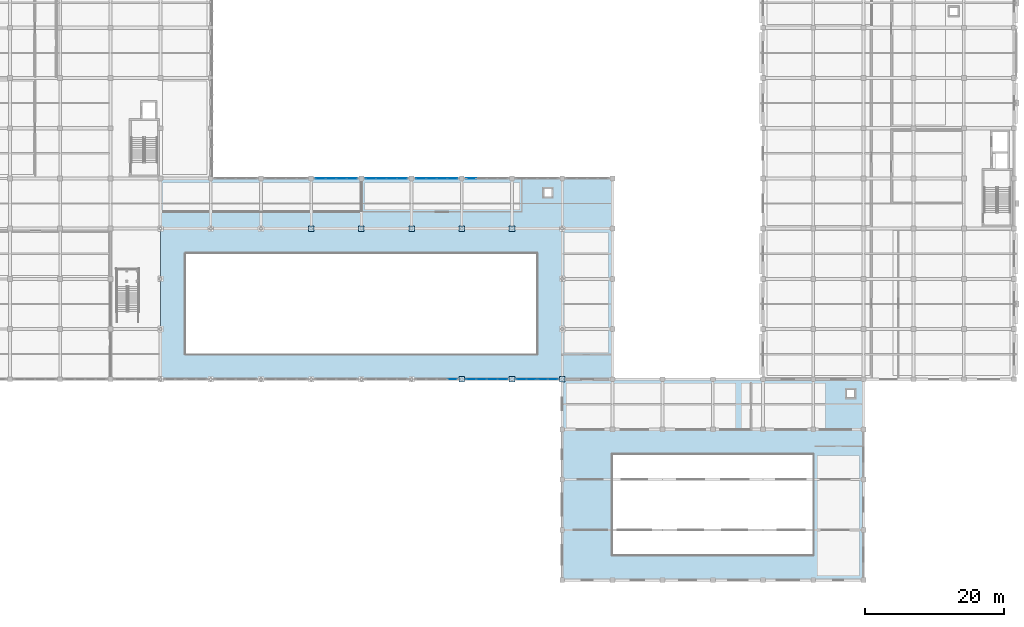
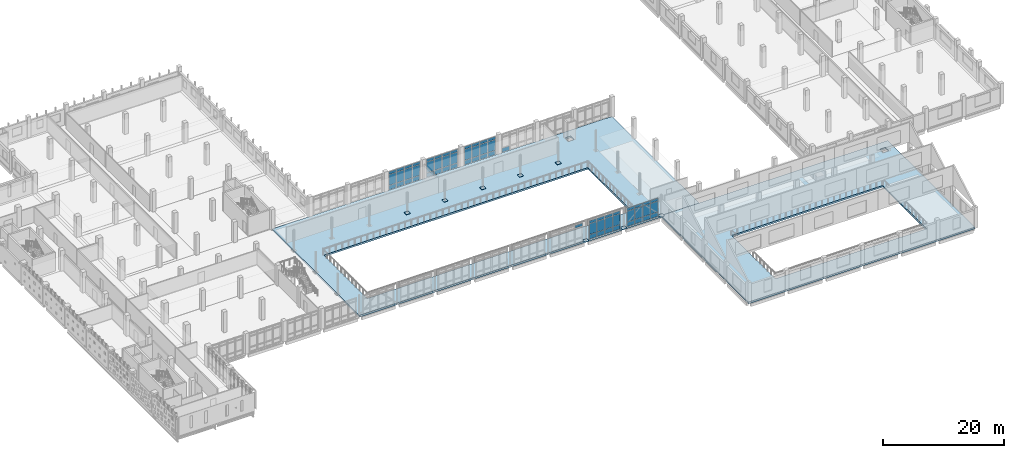
# One storey, part 31 of 62: 70 plates, 2 slabs, 7 elements without a shape of their own.
"""IFC4 building model written with IfcOpenShell, lengths in metres."""

from ifc_helpers import new_model, si_unit, direction, frame, origin, origin_2d, place, context, subcontext, project, spatial, polyline, rectangle, outline, extrude, material, layer, layer_set, type_object, element, aggregate, save


model = new_model("IFC4")

# Units and contexts
model_context = context("Model", 3, precision=1e-05, world=origin(), true_north=direction((0.0, 1.0)))
body_context = subcontext(model_context, "Body", "Model", "MODEL_VIEW")
ifc_project = project(units=[si_unit("LENGTHUNIT", "METRE"), si_unit("AREAUNIT", "SQUARE_METRE"), si_unit("VOLUMEUNIT", "CUBIC_METRE"), si_unit("PLANEANGLEUNIT", "RADIAN"), si_unit("MASSUNIT", "GRAM", prefix="KILO")], contexts=[model_context])

# Site, building, storey
site_placement = place(None, origin())
site = spatial("IfcSite", under=ifc_project, at=site_placement, CompositionType="ELEMENT")
building_placement = place(site_placement, origin())
building = spatial("IfcBuilding", under=site, at=building_placement, Name="Valkovuoma Quantum and Materials Research Institute", CompositionType="ELEMENT")
storey_placement = place(building_placement, frame((0.0, 0.0, 8.9599609375)))
storey = spatial("IfcBuildingStorey", under=building, at=storey_placement, Name="L02", CompositionType="ELEMENT", Elevation=8.9599609375)

# Curtain wall, plates
ifc_material_1 = material(Name="Thermally broken aluminium and triple low-E glazing", Category="aluminium")
ifc_layer_1 = layer(ifc_material_1, 0.219970703125)
ifc_layer_set_1 = layer_set([ifc_layer_1], Name="Thermally broken aluminium and triple low-E glazing")
curtain_wall_type = type_object("IfcCurtainWallType", Name="CW-CW-02", PredefinedType="NOTDEFINED", material=ifc_layer_set_1)
curtain_wall_1_placement = place(storey_placement, origin())
curtain_wall_1 = element("IfcCurtainWall", 1, at=curtain_wall_1_placement, inside=storey, type_object=curtain_wall_type, Name="L02 curtain wall 193", PredefinedType="NOTDEFINED")
ifc_material_2 = material(Name="Triple low-E argon insulating glass", Category="glass")
ifc_layer_2 = layer(ifc_material_2, 0.0419921875)
ifc_layer_set_2 = layer_set([ifc_layer_2], Name="Triple low-E argon insulating glass")
plate_type_1 = type_object("IfcPlateType", Name="CWPanel-CWP-02", PredefinedType="CURTAIN_PANEL", material=ifc_layer_set_2)
plate_1_placement = place(storey_placement, frame((66.155029296875, 64.800048828125, 0.0751953125), z_axis=(0.0, 0.0, 1.0), x_axis=(1.0, 0.0, 0.0)))
plate_1 = element("IfcPlate", 2, at=plate_1_placement, type_object=plate_type_1, Name="CW-02 panel 1.1", PredefinedType="CURTAIN_PANEL", context=body_context, shape_type="SweptSolid", body=[
    extrude(rectangle(XDim=1.389892578125, YDim=0.0419921875, at=origin_2d()), origin(), (0.0, 0.0, 1.0), 0.83740234375),
])
plate_2_placement = place(storey_placement, frame((66.155029296875, 64.800048828125, 0.9873046875), z_axis=(0.0, 0.0, 1.0), x_axis=(1.0, 0.0, 0.0)))
plate_2 = element("IfcPlate", 3, at=plate_2_placement, type_object=plate_type_1, Name="CW-02 panel 1.2", PredefinedType="CURTAIN_PANEL", context=body_context, shape_type="SweptSolid", body=[
    extrude(rectangle(XDim=1.389892578125, YDim=0.0419921875, at=origin_2d()), origin(), (0.0, 0.0, 1.0), 2.135009765625),
])
plate_3_placement = place(storey_placement, frame((66.155029296875, 64.800048828125, 3.197509765625), z_axis=(0.0, 0.0, 1.0), x_axis=(1.0, 0.0, 0.0)))
plate_3 = element("IfcPlate", 4, at=plate_3_placement, type_object=plate_type_1, Name="CW-02 panel 1.3", PredefinedType="CURTAIN_PANEL", context=body_context, shape_type="SweptSolid", body=[
    extrude(rectangle(XDim=1.389892578125, YDim=0.0419921875, at=origin_2d()), origin(), (0.0, 0.0, 1.0), 0.53759765625),
])
plate_4_placement = place(storey_placement, frame((67.64501953125, 64.800048828125, 0.0751953125), z_axis=(0.0, 0.0, 1.0), x_axis=(1.0, 0.0, 0.0)))
plate_4 = element("IfcPlate", 5, at=plate_4_placement, type_object=plate_type_1, Name="CW-02 panel 2.1", PredefinedType="CURTAIN_PANEL", context=body_context, shape_type="SweptSolid", body=[
    extrude(rectangle(XDim=1.429931640625, YDim=0.0419921875, at=origin_2d()), origin(), (0.0, 0.0, 1.0), 0.83740234375),
])
plate_5_placement = place(storey_placement, frame((67.64501953125, 64.800048828125, 0.9873046875), z_axis=(0.0, 0.0, 1.0), x_axis=(1.0, 0.0, 0.0)))
plate_5 = element("IfcPlate", 6, at=plate_5_placement, type_object=plate_type_1, Name="CW-02 panel 2.2", PredefinedType="CURTAIN_PANEL", context=body_context, shape_type="SweptSolid", body=[
    extrude(rectangle(XDim=1.429931640625, YDim=0.0419921875, at=origin_2d()), origin(), (0.0, 0.0, 1.0), 2.135009765625),
])
plate_6_placement = place(storey_placement, frame((67.64501953125, 64.800048828125, 3.197509765625), z_axis=(0.0, 0.0, 1.0), x_axis=(1.0, 0.0, 0.0)))
plate_6 = element("IfcPlate", 7, at=plate_6_placement, type_object=plate_type_1, Name="CW-02 panel 2.3", PredefinedType="CURTAIN_PANEL", context=body_context, shape_type="SweptSolid", body=[
    extrude(rectangle(XDim=1.429931640625, YDim=0.0419921875, at=origin_2d()), origin(), (0.0, 0.0, 1.0), 0.53759765625),
])
plate_7_placement = place(storey_placement, frame((69.155029296875, 64.800048828125, 0.0751953125), z_axis=(0.0, 0.0, 1.0), x_axis=(1.0, 0.0, 0.0)))
plate_7 = element("IfcPlate", 8, at=plate_7_placement, type_object=plate_type_1, Name="CW-02 panel 3.1", PredefinedType="CURTAIN_PANEL", context=body_context, shape_type="SweptSolid", body=[
    extrude(rectangle(XDim=1.429931640625, YDim=0.0419921875, at=origin_2d()), origin(), (0.0, 0.0, 1.0), 0.83740234375),
])
plate_8_placement = place(storey_placement, frame((69.155029296875, 64.800048828125, 0.9873046875), z_axis=(0.0, 0.0, 1.0), x_axis=(1.0, 0.0, 0.0)))
plate_8 = element("IfcPlate", 9, at=plate_8_placement, type_object=plate_type_1, Name="CW-02 panel 3.2", PredefinedType="CURTAIN_PANEL", context=body_context, shape_type="SweptSolid", body=[
    extrude(rectangle(XDim=1.429931640625, YDim=0.0419921875, at=origin_2d()), origin(), (0.0, 0.0, 1.0), 2.135009765625),
])
plate_9_placement = place(storey_placement, frame((69.155029296875, 64.800048828125, 3.197509765625), z_axis=(0.0, 0.0, 1.0), x_axis=(1.0, 0.0, 0.0)))
plate_9 = element("IfcPlate", 10, at=plate_9_placement, type_object=plate_type_1, Name="CW-02 panel 3.3", PredefinedType="CURTAIN_PANEL", context=body_context, shape_type="SweptSolid", body=[
    extrude(rectangle(XDim=1.429931640625, YDim=0.0419921875, at=origin_2d()), origin(), (0.0, 0.0, 1.0), 0.53759765625),
])
plate_10_placement = place(storey_placement, frame((70.64501953125, 64.800048828125, 0.0751953125), z_axis=(0.0, 0.0, 1.0), x_axis=(1.0, 0.0, 0.0)))
plate_10 = element("IfcPlate", 11, at=plate_10_placement, type_object=plate_type_1, Name="CW-02 panel 4.1", PredefinedType="CURTAIN_PANEL", context=body_context, shape_type="SweptSolid", body=[
    extrude(rectangle(XDim=1.389892578125, YDim=0.0419921875, at=origin_2d()), origin(), (0.0, 0.0, 1.0), 0.83740234375),
])
plate_11_placement = place(storey_placement, frame((70.64501953125, 64.800048828125, 0.9873046875), z_axis=(0.0, 0.0, 1.0), x_axis=(1.0, 0.0, 0.0)))
plate_11 = element("IfcPlate", 12, at=plate_11_placement, type_object=plate_type_1, Name="CW-02 panel 4.2", PredefinedType="CURTAIN_PANEL", context=body_context, shape_type="SweptSolid", body=[
    extrude(rectangle(XDim=1.389892578125, YDim=0.0419921875, at=origin_2d()), origin(), (0.0, 0.0, 1.0), 2.135009765625),
])
plate_12_placement = place(storey_placement, frame((70.64501953125, 64.800048828125, 3.197509765625), z_axis=(0.0, 0.0, 1.0), x_axis=(1.0, 0.0, 0.0)))
plate_12 = element("IfcPlate", 13, at=plate_12_placement, type_object=plate_type_1, Name="CW-02 panel 4.3", PredefinedType="CURTAIN_PANEL", context=body_context, shape_type="SweptSolid", body=[
    extrude(rectangle(XDim=1.389892578125, YDim=0.0419921875, at=origin_2d()), origin(), (0.0, 0.0, 1.0), 0.53759765625),
])
aggregate(curtain_wall_1, [plate_1, plate_2, plate_3, plate_4, plate_5, plate_6, plate_7, plate_8, plate_9, plate_10, plate_11, plate_12])

curtain_wall_2_placement = place(storey_placement, origin())
curtain_wall_2 = element("IfcCurtainWall", 14, at=curtain_wall_2_placement, inside=storey, type_object=curtain_wall_type, Name="L02 curtain wall 194", PredefinedType="NOTDEFINED")
plate_13_placement = place(storey_placement, frame((73.35498046875, 64.800048828125, 0.0751953125), z_axis=(0.0, 0.0, 1.0), x_axis=(1.0, 0.0, 0.0)))
plate_13 = element("IfcPlate", 15, at=plate_13_placement, type_object=plate_type_1, Name="CW-02 panel 1.1", PredefinedType="CURTAIN_PANEL", context=body_context, shape_type="SweptSolid", body=[
    extrude(rectangle(XDim=1.389892578125, YDim=0.0419921875, at=origin_2d()), origin(), (0.0, 0.0, 1.0), 0.83740234375),
])
plate_14_placement = place(storey_placement, frame((73.35498046875, 64.800048828125, 0.9873046875), z_axis=(0.0, 0.0, 1.0), x_axis=(1.0, 0.0, 0.0)))
plate_14 = element("IfcPlate", 16, at=plate_14_placement, type_object=plate_type_1, Name="CW-02 panel 1.2", PredefinedType="CURTAIN_PANEL", context=body_context, shape_type="SweptSolid", body=[
    extrude(rectangle(XDim=1.389892578125, YDim=0.0419921875, at=origin_2d()), origin(), (0.0, 0.0, 1.0), 2.135009765625),
])
plate_15_placement = place(storey_placement, frame((73.35498046875, 64.800048828125, 3.197509765625), z_axis=(0.0, 0.0, 1.0), x_axis=(1.0, 0.0, 0.0)))
plate_15 = element("IfcPlate", 17, at=plate_15_placement, type_object=plate_type_1, Name="CW-02 panel 1.3", PredefinedType="CURTAIN_PANEL", context=body_context, shape_type="SweptSolid", body=[
    extrude(rectangle(XDim=1.389892578125, YDim=0.0419921875, at=origin_2d()), origin(), (0.0, 0.0, 1.0), 0.53759765625),
])
plate_16_placement = place(storey_placement, frame((74.844970703125, 64.800048828125, 0.0751953125), z_axis=(0.0, 0.0, 1.0), x_axis=(1.0, 0.0, 0.0)))
plate_16 = element("IfcPlate", 18, at=plate_16_placement, type_object=plate_type_1, Name="CW-02 panel 2.1", PredefinedType="CURTAIN_PANEL", context=body_context, shape_type="SweptSolid", body=[
    extrude(rectangle(XDim=1.429931640625, YDim=0.0419921875, at=origin_2d()), origin(), (0.0, 0.0, 1.0), 0.83740234375),
])
plate_17_placement = place(storey_placement, frame((74.844970703125, 64.800048828125, 0.9873046875), z_axis=(0.0, 0.0, 1.0), x_axis=(1.0, 0.0, 0.0)))
plate_17 = element("IfcPlate", 19, at=plate_17_placement, type_object=plate_type_1, Name="CW-02 panel 2.2", PredefinedType="CURTAIN_PANEL", context=body_context, shape_type="SweptSolid", body=[
    extrude(rectangle(XDim=1.429931640625, YDim=0.0419921875, at=origin_2d()), origin(), (0.0, 0.0, 1.0), 2.135009765625),
])
plate_18_placement = place(storey_placement, frame((74.844970703125, 64.800048828125, 3.197509765625), z_axis=(0.0, 0.0, 1.0), x_axis=(1.0, 0.0, 0.0)))
plate_18 = element("IfcPlate", 20, at=plate_18_placement, type_object=plate_type_1, Name="CW-02 panel 2.3", PredefinedType="CURTAIN_PANEL", context=body_context, shape_type="SweptSolid", body=[
    extrude(rectangle(XDim=1.429931640625, YDim=0.0419921875, at=origin_2d()), origin(), (0.0, 0.0, 1.0), 0.53759765625),
])
plate_19_placement = place(storey_placement, frame((76.35498046875, 64.800048828125, 0.0751953125), z_axis=(0.0, 0.0, 1.0), x_axis=(1.0, 0.0, 0.0)))
plate_19 = element("IfcPlate", 21, at=plate_19_placement, type_object=plate_type_1, Name="CW-02 panel 3.1", PredefinedType="CURTAIN_PANEL", context=body_context, shape_type="SweptSolid", body=[
    extrude(rectangle(XDim=1.429931640625, YDim=0.0419921875, at=origin_2d()), origin(), (0.0, 0.0, 1.0), 0.83740234375),
])
plate_20_placement = place(storey_placement, frame((76.35498046875, 64.800048828125, 0.9873046875), z_axis=(0.0, 0.0, 1.0), x_axis=(1.0, 0.0, 0.0)))
plate_20 = element("IfcPlate", 22, at=plate_20_placement, type_object=plate_type_1, Name="CW-02 panel 3.2", PredefinedType="CURTAIN_PANEL", context=body_context, shape_type="SweptSolid", body=[
    extrude(rectangle(XDim=1.429931640625, YDim=0.0419921875, at=origin_2d()), origin(), (0.0, 0.0, 1.0), 2.135009765625),
])
plate_21_placement = place(storey_placement, frame((76.35498046875, 64.800048828125, 3.197509765625), z_axis=(0.0, 0.0, 1.0), x_axis=(1.0, 0.0, 0.0)))
plate_21 = element("IfcPlate", 23, at=plate_21_placement, type_object=plate_type_1, Name="CW-02 panel 3.3", PredefinedType="CURTAIN_PANEL", context=body_context, shape_type="SweptSolid", body=[
    extrude(rectangle(XDim=1.429931640625, YDim=0.0419921875, at=origin_2d()), origin(), (0.0, 0.0, 1.0), 0.53759765625),
])
plate_22_placement = place(storey_placement, frame((77.844970703125, 64.800048828125, 0.0751953125), z_axis=(0.0, 0.0, 1.0), x_axis=(1.0, 0.0, 0.0)))
plate_22 = element("IfcPlate", 24, at=plate_22_placement, type_object=plate_type_1, Name="CW-02 panel 4.1", PredefinedType="CURTAIN_PANEL", context=body_context, shape_type="SweptSolid", body=[
    extrude(rectangle(XDim=1.389892578125, YDim=0.0419921875, at=origin_2d()), origin(), (0.0, 0.0, 1.0), 0.83740234375),
])
plate_23_placement = place(storey_placement, frame((77.844970703125, 64.800048828125, 0.9873046875), z_axis=(0.0, 0.0, 1.0), x_axis=(1.0, 0.0, 0.0)))
plate_23 = element("IfcPlate", 25, at=plate_23_placement, type_object=plate_type_1, Name="CW-02 panel 4.2", PredefinedType="CURTAIN_PANEL", context=body_context, shape_type="SweptSolid", body=[
    extrude(rectangle(XDim=1.389892578125, YDim=0.0419921875, at=origin_2d()), origin(), (0.0, 0.0, 1.0), 2.135009765625),
])
plate_24_placement = place(storey_placement, frame((77.844970703125, 64.800048828125, 3.197509765625), z_axis=(0.0, 0.0, 1.0), x_axis=(1.0, 0.0, 0.0)))
plate_24 = element("IfcPlate", 26, at=plate_24_placement, type_object=plate_type_1, Name="CW-02 panel 4.3", PredefinedType="CURTAIN_PANEL", context=body_context, shape_type="SweptSolid", body=[
    extrude(rectangle(XDim=1.389892578125, YDim=0.0419921875, at=origin_2d()), origin(), (0.0, 0.0, 1.0), 0.53759765625),
])
aggregate(curtain_wall_2, [plate_13, plate_14, plate_15, plate_16, plate_17, plate_18, plate_19, plate_20, plate_21, plate_22, plate_23, plate_24])

curtain_wall_3_placement = place(storey_placement, origin())
curtain_wall_3 = element("IfcCurtainWall", 27, at=curtain_wall_3_placement, inside=storey, type_object=curtain_wall_type, Name="L02 curtain wall 195", PredefinedType="NOTDEFINED")
plate_25_placement = place(storey_placement, frame((80.554931640625, 64.800048828125, 0.0751953125), z_axis=(0.0, 0.0, 1.0), x_axis=(1.0, 0.0, 0.0)))
plate_25 = element("IfcPlate", 28, at=plate_25_placement, type_object=plate_type_1, Name="CW-02 panel 1.1", PredefinedType="CURTAIN_PANEL", context=body_context, shape_type="SweptSolid", body=[
    extrude(rectangle(XDim=1.389892578125, YDim=0.0419921875, at=origin_2d()), origin(), (0.0, 0.0, 1.0), 0.83740234375),
])
plate_26_placement = place(storey_placement, frame((80.554931640625, 64.800048828125, 0.9873046875), z_axis=(0.0, 0.0, 1.0), x_axis=(1.0, 0.0, 0.0)))
plate_26 = element("IfcPlate", 29, at=plate_26_placement, type_object=plate_type_1, Name="CW-02 panel 1.2", PredefinedType="CURTAIN_PANEL", context=body_context, shape_type="SweptSolid", body=[
    extrude(rectangle(XDim=1.389892578125, YDim=0.0419921875, at=origin_2d()), origin(), (0.0, 0.0, 1.0), 2.135009765625),
])
plate_27_placement = place(storey_placement, frame((80.554931640625, 64.800048828125, 3.197509765625), z_axis=(0.0, 0.0, 1.0), x_axis=(1.0, 0.0, 0.0)))
plate_27 = element("IfcPlate", 30, at=plate_27_placement, type_object=plate_type_1, Name="CW-02 panel 1.3", PredefinedType="CURTAIN_PANEL", context=body_context, shape_type="SweptSolid", body=[
    extrude(rectangle(XDim=1.389892578125, YDim=0.0419921875, at=origin_2d()), origin(), (0.0, 0.0, 1.0), 0.53759765625),
])
plate_28_placement = place(storey_placement, frame((82.044921875, 64.800048828125, 0.0751953125), z_axis=(0.0, 0.0, 1.0), x_axis=(1.0, 0.0, 0.0)))
plate_28 = element("IfcPlate", 31, at=plate_28_placement, type_object=plate_type_1, Name="CW-02 panel 2.1", PredefinedType="CURTAIN_PANEL", context=body_context, shape_type="SweptSolid", body=[
    extrude(rectangle(XDim=1.429931640625, YDim=0.0419921875, at=origin_2d()), origin(), (0.0, 0.0, 1.0), 0.83740234375),
])
plate_29_placement = place(storey_placement, frame((82.044921875, 64.800048828125, 0.9873046875), z_axis=(0.0, 0.0, 1.0), x_axis=(1.0, 0.0, 0.0)))
plate_29 = element("IfcPlate", 32, at=plate_29_placement, type_object=plate_type_1, Name="CW-02 panel 2.2", PredefinedType="CURTAIN_PANEL", context=body_context, shape_type="SweptSolid", body=[
    extrude(rectangle(XDim=1.429931640625, YDim=0.0419921875, at=origin_2d()), origin(), (0.0, 0.0, 1.0), 2.135009765625),
])
plate_30_placement = place(storey_placement, frame((82.044921875, 64.800048828125, 3.197509765625), z_axis=(0.0, 0.0, 1.0), x_axis=(1.0, 0.0, 0.0)))
plate_30 = element("IfcPlate", 33, at=plate_30_placement, type_object=plate_type_1, Name="CW-02 panel 2.3", PredefinedType="CURTAIN_PANEL", context=body_context, shape_type="SweptSolid", body=[
    extrude(rectangle(XDim=1.429931640625, YDim=0.0419921875, at=origin_2d()), origin(), (0.0, 0.0, 1.0), 0.53759765625),
])
plate_31_placement = place(storey_placement, frame((83.554931640625, 64.800048828125, 0.0751953125), z_axis=(0.0, 0.0, 1.0), x_axis=(1.0, 0.0, 0.0)))
plate_31 = element("IfcPlate", 34, at=plate_31_placement, type_object=plate_type_1, Name="CW-02 panel 3.1", PredefinedType="CURTAIN_PANEL", context=body_context, shape_type="SweptSolid", body=[
    extrude(rectangle(XDim=1.429931640625, YDim=0.0419921875, at=origin_2d()), origin(), (0.0, 0.0, 1.0), 0.83740234375),
])
plate_32_placement = place(storey_placement, frame((83.554931640625, 64.800048828125, 0.9873046875), z_axis=(0.0, 0.0, 1.0), x_axis=(1.0, 0.0, 0.0)))
plate_32 = element("IfcPlate", 35, at=plate_32_placement, type_object=plate_type_1, Name="CW-02 panel 3.2", PredefinedType="CURTAIN_PANEL", context=body_context, shape_type="SweptSolid", body=[
    extrude(rectangle(XDim=1.429931640625, YDim=0.0419921875, at=origin_2d()), origin(), (0.0, 0.0, 1.0), 2.135009765625),
])
plate_33_placement = place(storey_placement, frame((83.554931640625, 64.800048828125, 3.197509765625), z_axis=(0.0, 0.0, 1.0), x_axis=(1.0, 0.0, 0.0)))
plate_33 = element("IfcPlate", 36, at=plate_33_placement, type_object=plate_type_1, Name="CW-02 panel 3.3", PredefinedType="CURTAIN_PANEL", context=body_context, shape_type="SweptSolid", body=[
    extrude(rectangle(XDim=1.429931640625, YDim=0.0419921875, at=origin_2d()), origin(), (0.0, 0.0, 1.0), 0.53759765625),
])
plate_34_placement = place(storey_placement, frame((85.044921875, 64.800048828125, 0.0751953125), z_axis=(0.0, 0.0, 1.0), x_axis=(1.0, 0.0, 0.0)))
plate_34 = element("IfcPlate", 37, at=plate_34_placement, type_object=plate_type_1, Name="CW-02 panel 4.1", PredefinedType="CURTAIN_PANEL", context=body_context, shape_type="SweptSolid", body=[
    extrude(rectangle(XDim=1.389892578125, YDim=0.0419921875, at=origin_2d()), origin(), (0.0, 0.0, 1.0), 0.83740234375),
])
plate_35_placement = place(storey_placement, frame((85.044921875, 64.800048828125, 0.9873046875), z_axis=(0.0, 0.0, 1.0), x_axis=(1.0, 0.0, 0.0)))
plate_35 = element("IfcPlate", 38, at=plate_35_placement, type_object=plate_type_1, Name="CW-02 panel 4.2", PredefinedType="CURTAIN_PANEL", context=body_context, shape_type="SweptSolid", body=[
    extrude(rectangle(XDim=1.389892578125, YDim=0.0419921875, at=origin_2d()), origin(), (0.0, 0.0, 1.0), 2.135009765625),
])
plate_36_placement = place(storey_placement, frame((85.044921875, 64.800048828125, 3.197509765625), z_axis=(0.0, 0.0, 1.0), x_axis=(1.0, 0.0, 0.0)))
plate_36 = element("IfcPlate", 39, at=plate_36_placement, type_object=plate_type_1, Name="CW-02 panel 4.3", PredefinedType="CURTAIN_PANEL", context=body_context, shape_type="SweptSolid", body=[
    extrude(rectangle(XDim=1.389892578125, YDim=0.0419921875, at=origin_2d()), origin(), (0.0, 0.0, 1.0), 0.53759765625),
])
aggregate(curtain_wall_3, [plate_25, plate_26, plate_27, plate_28, plate_29, plate_30, plate_31, plate_32, plate_33, plate_34, plate_35, plate_36])

# Curtain wall, plate
curtain_wall_4_placement = place(storey_placement, origin())
curtain_wall_4 = element("IfcCurtainWall", 40, at=curtain_wall_4_placement, inside=storey, type_object=curtain_wall_type, Name="L02 curtain wall 196", PredefinedType="NOTDEFINED")
plate_37_placement = place(storey_placement, frame((87.7548828125, 64.800048828125, 0.0751953125), z_axis=(0.0, 0.0, 1.0), x_axis=(1.0, 0.0, 0.0)))
plate_37 = element("IfcPlate", 41, at=plate_37_placement, type_object=plate_type_1, Name="CW-02 panel 1.1", PredefinedType="CURTAIN_PANEL", context=body_context, shape_type="SweptSolid", body=[
    extrude(rectangle(XDim=1.389892578125, YDim=0.0419921875, at=origin_2d()), origin(), (0.0, 0.0, 1.0), 0.83740234375),
])
aggregate(curtain_wall_4, [plate_37])

curtain_wall_5_placement = place(storey_placement, origin())
curtain_wall_5 = element("IfcCurtainWall", 42, at=curtain_wall_5_placement, inside=storey, type_object=curtain_wall_type, Name="L02 curtain wall 188", PredefinedType="NOTDEFINED")
ifc_material_3 = material(Name="Triple low-E argon insulating glass", Category="glass")
ifc_layer_3 = layer(ifc_material_3, 0.048095703125)
ifc_layer_set_3 = layer_set([ifc_layer_3], Name="Triple low-E argon insulating glass")
plate_type_2 = type_object("IfcPlateType", Name="CWPanel-CWP-03", PredefinedType="CURTAIN_PANEL", material=ifc_layer_set_3)
plate_38_placement = place(storey_placement, frame((85.044921875, 36.0, 3.197509765625), z_axis=(0.0, 0.0, 1.0), x_axis=(1.0, 0.0, 0.0)))
plate_38 = element("IfcPlate", 43, at=plate_38_placement, type_object=plate_type_2, Name="CW-02 panel 4.3", PredefinedType="CURTAIN_PANEL", context=body_context, shape_type="SweptSolid", body=[
    extrude(rectangle(XDim=1.389892578125, YDim=0.048095703125, at=origin_2d()), origin(), (0.0, 0.0, 1.0), 0.53759765625),
])
aggregate(curtain_wall_5, [plate_38])

# Curtain wall, plates
curtain_wall_6_placement = place(storey_placement, origin())
curtain_wall_6 = element("IfcCurtainWall", 44, at=curtain_wall_6_placement, inside=storey, type_object=curtain_wall_type, Name="L02 curtain wall 189", PredefinedType="NOTDEFINED")
plate_39_placement = place(storey_placement, frame((87.7548828125, 36.0, 0.0751953125), z_axis=(0.0, 0.0, 1.0), x_axis=(1.0, 0.0, 0.0)))
plate_39 = element("IfcPlate", 45, at=plate_39_placement, type_object=plate_type_2, Name="CW-02 panel 1.1", PredefinedType="CURTAIN_PANEL", context=body_context, shape_type="SweptSolid", body=[
    extrude(rectangle(XDim=1.389892578125, YDim=0.048095703125, at=origin_2d()), origin(), (0.0, 0.0, 1.0), 0.83740234375),
])
plate_40_placement = place(storey_placement, frame((87.7548828125, 36.0, 0.9873046875), z_axis=(0.0, 0.0, 1.0), x_axis=(1.0, 0.0, 0.0)))
plate_40 = element("IfcPlate", 46, at=plate_40_placement, type_object=plate_type_2, Name="CW-02 panel 1.2", PredefinedType="CURTAIN_PANEL", context=body_context, shape_type="SweptSolid", body=[
    extrude(rectangle(XDim=1.389892578125, YDim=0.048095703125, at=origin_2d()), origin(), (0.0, 0.0, 1.0), 2.135009765625),
])
plate_41_placement = place(storey_placement, frame((87.7548828125, 36.0, 3.197509765625), z_axis=(0.0, 0.0, 1.0), x_axis=(1.0, 0.0, 0.0)))
plate_41 = element("IfcPlate", 47, at=plate_41_placement, type_object=plate_type_2, Name="CW-02 panel 1.3", PredefinedType="CURTAIN_PANEL", context=body_context, shape_type="SweptSolid", body=[
    extrude(rectangle(XDim=1.389892578125, YDim=0.048095703125, at=origin_2d()), origin(), (0.0, 0.0, 1.0), 0.53759765625),
])
plate_42_placement = place(storey_placement, frame((89.2451171875, 36.0, 0.0751953125), z_axis=(0.0, 0.0, 1.0), x_axis=(1.0, 0.0, 0.0)))
plate_42 = element("IfcPlate", 48, at=plate_42_placement, type_object=plate_type_2, Name="CW-02 panel 2.1", PredefinedType="CURTAIN_PANEL", context=body_context, shape_type="SweptSolid", body=[
    extrude(rectangle(XDim=1.429931640625, YDim=0.048095703125, at=origin_2d()), origin(), (0.0, 0.0, 1.0), 0.83740234375),
])
plate_43_placement = place(storey_placement, frame((89.2451171875, 36.0, 0.9873046875), z_axis=(0.0, 0.0, 1.0), x_axis=(1.0, 0.0, 0.0)))
plate_43 = element("IfcPlate", 49, at=plate_43_placement, type_object=plate_type_2, Name="CW-02 panel 2.2", PredefinedType="CURTAIN_PANEL", context=body_context, shape_type="SweptSolid", body=[
    extrude(rectangle(XDim=1.429931640625, YDim=0.048095703125, at=origin_2d()), origin(), (0.0, 0.0, 1.0), 2.135009765625),
])
plate_44_placement = place(storey_placement, frame((89.2451171875, 36.0, 3.197509765625), z_axis=(0.0, 0.0, 1.0), x_axis=(1.0, 0.0, 0.0)))
plate_44 = element("IfcPlate", 50, at=plate_44_placement, type_object=plate_type_2, Name="CW-02 panel 2.3", PredefinedType="CURTAIN_PANEL", context=body_context, shape_type="SweptSolid", body=[
    extrude(rectangle(XDim=1.429931640625, YDim=0.048095703125, at=origin_2d()), origin(), (0.0, 0.0, 1.0), 0.53759765625),
])
plate_45_placement = place(storey_placement, frame((90.7548828125, 36.0, 0.0751953125), z_axis=(0.0, 0.0, 1.0), x_axis=(1.0, 0.0, 0.0)))
plate_45 = element("IfcPlate", 51, at=plate_45_placement, type_object=plate_type_2, Name="CW-02 panel 3.1", PredefinedType="CURTAIN_PANEL", context=body_context, shape_type="SweptSolid", body=[
    extrude(rectangle(XDim=1.429931640625, YDim=0.048095703125, at=origin_2d()), origin(), (0.0, 0.0, 1.0), 0.83740234375),
])
plate_46_placement = place(storey_placement, frame((90.7548828125, 36.0, 0.9873046875), z_axis=(0.0, 0.0, 1.0), x_axis=(1.0, 0.0, 0.0)))
plate_46 = element("IfcPlate", 52, at=plate_46_placement, type_object=plate_type_2, Name="CW-02 panel 3.2", PredefinedType="CURTAIN_PANEL", context=body_context, shape_type="SweptSolid", body=[
    extrude(rectangle(XDim=1.429931640625, YDim=0.048095703125, at=origin_2d()), origin(), (0.0, 0.0, 1.0), 2.135009765625),
])
plate_47_placement = place(storey_placement, frame((90.7548828125, 36.0, 3.197509765625), z_axis=(0.0, 0.0, 1.0), x_axis=(1.0, 0.0, 0.0)))
plate_47 = element("IfcPlate", 53, at=plate_47_placement, type_object=plate_type_2, Name="CW-02 panel 3.3", PredefinedType="CURTAIN_PANEL", context=body_context, shape_type="SweptSolid", body=[
    extrude(rectangle(XDim=1.429931640625, YDim=0.048095703125, at=origin_2d()), origin(), (0.0, 0.0, 1.0), 0.53759765625),
])
plate_48_placement = place(storey_placement, frame((92.2451171875, 36.0, 0.0751953125), z_axis=(0.0, 0.0, 1.0), x_axis=(1.0, 0.0, 0.0)))
plate_48 = element("IfcPlate", 54, at=plate_48_placement, type_object=plate_type_2, Name="CW-02 panel 4.1", PredefinedType="CURTAIN_PANEL", context=body_context, shape_type="SweptSolid", body=[
    extrude(rectangle(XDim=1.389892578125, YDim=0.048095703125, at=origin_2d()), origin(), (0.0, 0.0, 1.0), 0.83740234375),
])
plate_49_placement = place(storey_placement, frame((92.2451171875, 36.0, 0.9873046875), z_axis=(0.0, 0.0, 1.0), x_axis=(1.0, 0.0, 0.0)))
plate_49 = element("IfcPlate", 55, at=plate_49_placement, type_object=plate_type_2, Name="CW-02 panel 4.2", PredefinedType="CURTAIN_PANEL", context=body_context, shape_type="SweptSolid", body=[
    extrude(rectangle(XDim=1.389892578125, YDim=0.048095703125, at=origin_2d()), origin(), (0.0, 0.0, 1.0), 2.135009765625),
])
plate_50_placement = place(storey_placement, frame((92.2451171875, 36.0, 3.197509765625), z_axis=(0.0, 0.0, 1.0), x_axis=(1.0, 0.0, 0.0)))
plate_50 = element("IfcPlate", 56, at=plate_50_placement, type_object=plate_type_2, Name="CW-02 panel 4.3", PredefinedType="CURTAIN_PANEL", context=body_context, shape_type="SweptSolid", body=[
    extrude(rectangle(XDim=1.389892578125, YDim=0.048095703125, at=origin_2d()), origin(), (0.0, 0.0, 1.0), 0.53759765625),
])
aggregate(curtain_wall_6, [plate_39, plate_40, plate_41, plate_42, plate_43, plate_44, plate_45, plate_46, plate_47, plate_48, plate_49, plate_50])

curtain_wall_7_placement = place(storey_placement, origin())
curtain_wall_7 = element("IfcCurtainWall", 57, at=curtain_wall_7_placement, inside=storey, type_object=curtain_wall_type, Name="L02 curtain wall 190", PredefinedType="NOTDEFINED")
plate_51_placement = place(storey_placement, frame((94.955078125, 36.0, 0.0751953125), z_axis=(0.0, 0.0, 1.0), x_axis=(1.0, 0.0, 0.0)))
plate_51 = element("IfcPlate", 58, at=plate_51_placement, type_object=plate_type_2, Name="CW-02 panel 1.1", PredefinedType="CURTAIN_PANEL", context=body_context, shape_type="SweptSolid", body=[
    extrude(rectangle(XDim=1.389892578125, YDim=0.048095703125, at=origin_2d()), origin(), (0.0, 0.0, 1.0), 0.83740234375),
])
plate_52_placement = place(storey_placement, frame((94.955078125, 36.0, 0.9873046875), z_axis=(0.0, 0.0, 1.0), x_axis=(1.0, 0.0, 0.0)))
plate_52 = element("IfcPlate", 59, at=plate_52_placement, type_object=plate_type_2, Name="CW-02 panel 1.2", PredefinedType="CURTAIN_PANEL", context=body_context, shape_type="SweptSolid", body=[
    extrude(rectangle(XDim=1.389892578125, YDim=0.048095703125, at=origin_2d()), origin(), (0.0, 0.0, 1.0), 2.135009765625),
])
plate_53_placement = place(storey_placement, frame((94.955078125, 36.0, 3.197509765625), z_axis=(0.0, 0.0, 1.0), x_axis=(1.0, 0.0, 0.0)))
plate_53 = element("IfcPlate", 60, at=plate_53_placement, type_object=plate_type_2, Name="CW-02 panel 1.3", PredefinedType="CURTAIN_PANEL", context=body_context, shape_type="SweptSolid", body=[
    extrude(rectangle(XDim=1.389892578125, YDim=0.048095703125, at=origin_2d()), origin(), (0.0, 0.0, 1.0), 0.53759765625),
])
plate_54_placement = place(storey_placement, frame((96.445068359375, 36.0, 0.0751953125), z_axis=(0.0, 0.0, 1.0), x_axis=(1.0, 0.0, 0.0)))
plate_54 = element("IfcPlate", 61, at=plate_54_placement, type_object=plate_type_2, Name="CW-02 panel 2.1", PredefinedType="CURTAIN_PANEL", context=body_context, shape_type="SweptSolid", body=[
    extrude(rectangle(XDim=1.429931640625, YDim=0.048095703125, at=origin_2d()), origin(), (0.0, 0.0, 1.0), 0.83740234375),
])
plate_55_placement = place(storey_placement, frame((96.445068359375, 36.0, 0.9873046875), z_axis=(0.0, 0.0, 1.0), x_axis=(1.0, 0.0, 0.0)))
plate_55 = element("IfcPlate", 62, at=plate_55_placement, type_object=plate_type_2, Name="CW-02 panel 2.2", PredefinedType="CURTAIN_PANEL", context=body_context, shape_type="SweptSolid", body=[
    extrude(rectangle(XDim=1.429931640625, YDim=0.048095703125, at=origin_2d()), origin(), (0.0, 0.0, 1.0), 2.135009765625),
])
plate_56_placement = place(storey_placement, frame((96.445068359375, 36.0, 3.197509765625), z_axis=(0.0, 0.0, 1.0), x_axis=(1.0, 0.0, 0.0)))
plate_56 = element("IfcPlate", 63, at=plate_56_placement, type_object=plate_type_2, Name="CW-02 panel 2.3", PredefinedType="CURTAIN_PANEL", context=body_context, shape_type="SweptSolid", body=[
    extrude(rectangle(XDim=1.429931640625, YDim=0.048095703125, at=origin_2d()), origin(), (0.0, 0.0, 1.0), 0.53759765625),
])
plate_57_placement = place(storey_placement, frame((97.955078125, 36.0, 0.0751953125), z_axis=(0.0, 0.0, 1.0), x_axis=(1.0, 0.0, 0.0)))
plate_57 = element("IfcPlate", 64, at=plate_57_placement, type_object=plate_type_2, Name="CW-02 panel 3.1", PredefinedType="CURTAIN_PANEL", context=body_context, shape_type="SweptSolid", body=[
    extrude(rectangle(XDim=1.429931640625, YDim=0.048095703125, at=origin_2d()), origin(), (0.0, 0.0, 1.0), 0.83740234375),
])
plate_58_placement = place(storey_placement, frame((97.955078125, 36.0, 0.9873046875), z_axis=(0.0, 0.0, 1.0), x_axis=(1.0, 0.0, 0.0)))
plate_58 = element("IfcPlate", 65, at=plate_58_placement, type_object=plate_type_2, Name="CW-02 panel 3.2", PredefinedType="CURTAIN_PANEL", context=body_context, shape_type="SweptSolid", body=[
    extrude(rectangle(XDim=1.429931640625, YDim=0.048095703125, at=origin_2d()), origin(), (0.0, 0.0, 1.0), 2.135009765625),
])
plate_59_placement = place(storey_placement, frame((97.955078125, 36.0, 3.197509765625), z_axis=(0.0, 0.0, 1.0), x_axis=(1.0, 0.0, 0.0)))
plate_59 = element("IfcPlate", 66, at=plate_59_placement, type_object=plate_type_2, Name="CW-02 panel 3.3", PredefinedType="CURTAIN_PANEL", context=body_context, shape_type="SweptSolid", body=[
    extrude(rectangle(XDim=1.429931640625, YDim=0.048095703125, at=origin_2d()), origin(), (0.0, 0.0, 1.0), 0.53759765625),
])
plate_60_placement = place(storey_placement, frame((99.445068359375, 36.0, 0.0751953125), z_axis=(0.0, 0.0, 1.0), x_axis=(1.0, 0.0, 0.0)))
plate_60 = element("IfcPlate", 67, at=plate_60_placement, type_object=plate_type_2, Name="CW-02 panel 4.1", PredefinedType="CURTAIN_PANEL", context=body_context, shape_type="SweptSolid", body=[
    extrude(rectangle(XDim=1.389892578125, YDim=0.048095703125, at=origin_2d()), origin(), (0.0, 0.0, 1.0), 0.83740234375),
])
plate_61_placement = place(storey_placement, frame((99.445068359375, 36.0, 0.9873046875), z_axis=(0.0, 0.0, 1.0), x_axis=(1.0, 0.0, 0.0)))
plate_61 = element("IfcPlate", 68, at=plate_61_placement, type_object=plate_type_2, Name="CW-02 panel 4.2", PredefinedType="CURTAIN_PANEL", context=body_context, shape_type="SweptSolid", body=[
    extrude(rectangle(XDim=1.389892578125, YDim=0.048095703125, at=origin_2d()), origin(), (0.0, 0.0, 1.0), 2.135009765625),
])
plate_62_placement = place(storey_placement, frame((99.445068359375, 36.0, 3.197509765625), z_axis=(0.0, 0.0, 1.0), x_axis=(1.0, 0.0, 0.0)))
plate_62 = element("IfcPlate", 69, at=plate_62_placement, type_object=plate_type_2, Name="CW-02 panel 4.3", PredefinedType="CURTAIN_PANEL", context=body_context, shape_type="SweptSolid", body=[
    extrude(rectangle(XDim=1.389892578125, YDim=0.048095703125, at=origin_2d()), origin(), (0.0, 0.0, 1.0), 0.53759765625),
])
aggregate(curtain_wall_7, [plate_51, plate_52, plate_53, plate_54, plate_55, plate_56, plate_57, plate_58, plate_59, plate_60, plate_61, plate_62])

# Plates
ifc_material_4 = material(Name="Steel S355J2", Category="steel")
plate_type_3 = type_object("IfcPlateType", Name="Plate-PL-BAS2", PredefinedType="USERDEFINED", material=ifc_material_4)
for number, where, z_axis, x_axis, name in (
    (70, (64.800048828125, 57.60009765625, 0.0), (0.0, 0.0, 1.0), (1.0, 0.0, 0.0), "L02 base plate 10J"),
    (71, (72.0, 57.60009765625, 0.0), (0.0, 0.0, 1.0), (1.0, 0.0, 0.0), "L02 base plate 11J"),
    (72, (79.199951171875, 57.60009765625, 0.0), (0.0, 0.0, 1.0), (1.0, 0.0, 0.0), "L02 base plate 12J"),
    (73, (86.39990234375, 36.0, 0.0), (0.0, 0.0, 1.0), (1.0, 0.0, 0.0), "L02 base plate 13F"),
    (74, (86.39990234375, 57.60009765625, 0.0), (0.0, 0.0, 1.0), (1.0, 0.0, 0.0), "L02 base plate 13J"),
    (75, (93.60009765625, 36.0, 0.0), (0.0, 0.0, 1.0), (1.0, 0.0, 0.0), "L02 base plate 14F"),
    (76, (93.60009765625, 57.60009765625, 0.0), (0.0, 0.0, 1.0), (1.0, 0.0, 0.0), "L02 base plate 14J"),
    (77, (100.800048828125, 36.0, 0.0), (0.0, 0.0, 1.0), (1.0, 0.0, 0.0), "L02 base plate 15F"),
):
    element("IfcPlate", number, at=place(storey_placement, frame(where, z_axis=z_axis, x_axis=x_axis)), inside=storey, type_object=plate_type_3, Name=name, ObjectType="BASE_PLATE", PredefinedType="USERDEFINED", context=body_context, shape_type="SweptSolid", body=[
        extrude(rectangle(XDim=0.800048828125, YDim=0.800048828125, at=origin_2d()), origin(), (0.0, 0.0, 1.0), 0.030029296875),
    ])

# Slabs
ifc_material_5 = material(Name="Concrete C40/50", Category="concrete")
ifc_layer_4 = layer(ifc_material_5, 0.35009765625)
ifc_layer_set_4 = layer_set([ifc_layer_4], Name="Concrete C40/50")
slab_type = type_object("IfcSlabType", Name="Slab-SL-FL350", PredefinedType="FLOOR", material=ifc_layer_set_4)
slab_1_placement = place(storey_placement, frame((0.0, 0.0, -0.349853515625)))
element("IfcSlab", 78, at=slab_1_placement, inside=storey, type_object=slab_type, Name="L02 vol1_lecture structural slab 1", PredefinedType="FLOOR", context=body_context, shape_type="SweptSolid", body=[
    extrude(outline(polyline([(100.800048828125, 7.199951171875), (144.0, 7.199951171875), (144.0, 36.0), (100.800048828125, 36.0), (100.800048828125, 7.199951171875)]), holes=[polyline([(141.60009765625, 33.39990234375), (142.699951171875, 33.39990234375), (142.699951171875, 34.5), (141.60009765625, 34.5), (141.60009765625, 33.39990234375)]), polyline([(108.0, 10.800048828125), (136.800048828125, 10.800048828125), (136.800048828125, 25.199951171875), (108.0, 25.199951171875), (108.0, 10.800048828125)])]), origin(), (0.0, 0.0, 1.0), 0.349853515625),
])
slab_2_placement = place(storey_placement, frame((0.0, 0.0, -0.349853515625)))
element("IfcSlab", 79, at=slab_2_placement, inside=storey, type_object=slab_type, Name="L02 vol2_atrium structural slab 2", PredefinedType="FLOOR", context=body_context, shape_type="SweptSolid", body=[
    extrude(outline(polyline([(43.199951171875, 36.0), (108.0, 36.0), (108.0, 64.800048828125), (43.199951171875, 64.800048828125), (43.199951171875, 36.0)]), holes=[polyline([(98.199951171875, 62.199951171875), (99.300048828125, 62.199951171875), (99.300048828125, 63.300048828125), (98.199951171875, 63.300048828125), (98.199951171875, 62.199951171875)]), polyline([(46.800048828125, 39.60009765625), (97.199951171875, 39.60009765625), (97.199951171875, 54.0), (46.800048828125, 54.0), (46.800048828125, 39.60009765625)])]), origin(), (0.0, 0.0, 1.0), 0.349853515625),
])

save(model, "model.ifc")
